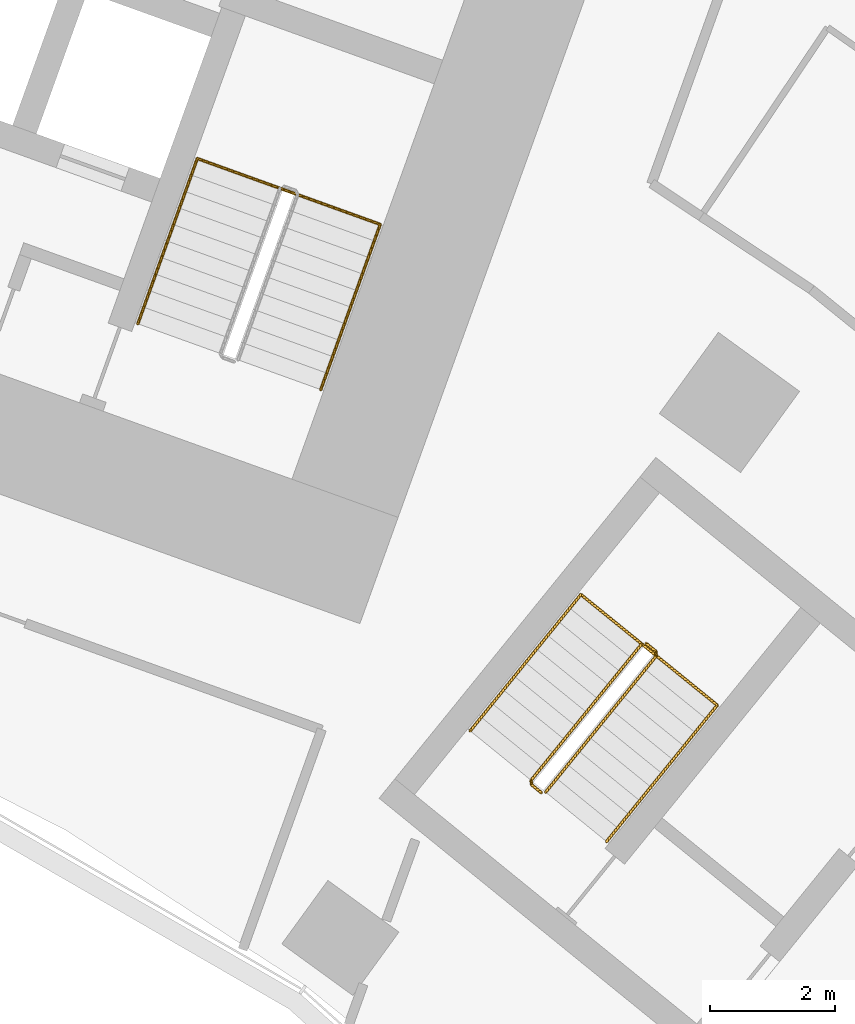
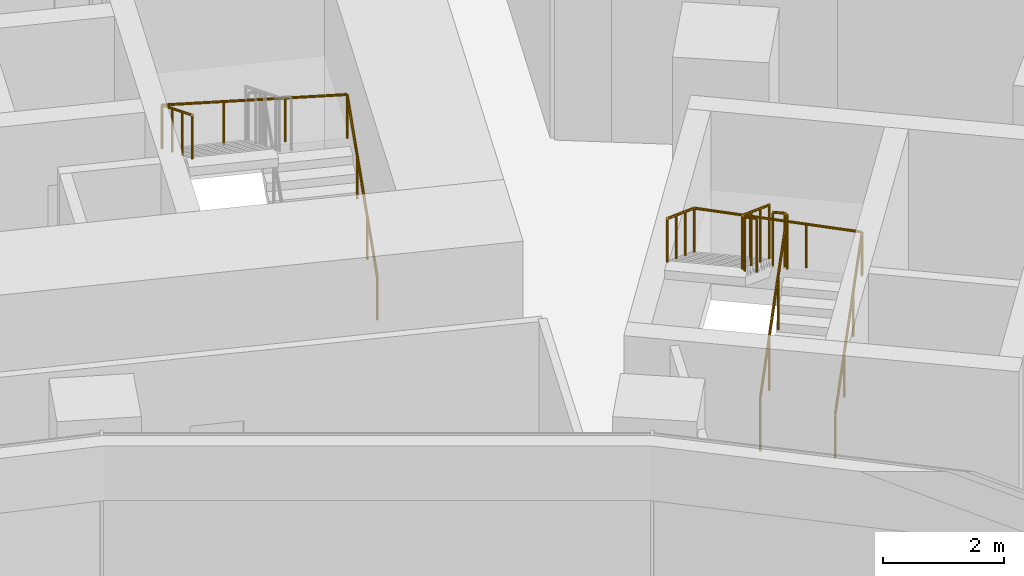
# One storey, part 21 of 21: 4 railings.
"""IFC4 building model written with IfcOpenShell, lengths in metres."""

from ifc_helpers import new_model, si_unit, direction, frame, origin, origin_2d, place, context, subcontext, project, spatial, circle, extrude, material, type_object, element, save


model = new_model("IFC4")

# Units and contexts
model_context = context("Model", 3, precision=1e-05, world=origin(), true_north=direction((0.0, 1.0)))
body_context = subcontext(model_context, "Body", "Model", "MODEL_VIEW")
ifc_project = project(units=[si_unit("LENGTHUNIT", "METRE"), si_unit("AREAUNIT", "SQUARE_METRE"), si_unit("VOLUMEUNIT", "CUBIC_METRE"), si_unit("PLANEANGLEUNIT", "RADIAN"), si_unit("MASSUNIT", "GRAM", prefix="KILO")], contexts=[model_context])

# Site, building, storey
site_placement = place(None, origin())
site = spatial("IfcSite", under=ifc_project, at=site_placement, CompositionType="ELEMENT")
building_placement = place(site_placement, origin())
building = spatial("IfcBuilding", under=site, at=building_placement, Name="Stone Belt Terrace Tower", CompositionType="ELEMENT")
storey_placement = place(building_placement, frame((0.0, 0.0, 71.800048828125)))
storey = spatial("IfcBuildingStorey", under=building, at=storey_placement, Name="L17", CompositionType="ELEMENT", Elevation=71.800048828125)

# Railings
ifc_material = material(Name="Structural steel C345", Category="steel")
railing_type_1 = type_object("IfcRailingType", Name="Stair guard 1100", PredefinedType="GUARDRAIL", material=ifc_material)
railing_1_placement = place(storey_placement, frame((29.39794921875, 38.281982421875, 0.172607421875)))
element("IfcRailing", 1, at=railing_1_placement, inside=storey, type_object=railing_type_1, Name="L17 ST3B stair guard 1", PredefinedType="GUARDRAIL", context=body_context, shape_type="SweptSolid", body=[
    extrude(circle(Radius=0.02392578125, at=origin_2d()), frame((0.0, 0.0, 1.076171875), z_axis=(0.536393061503, 0.660769759217, 0.525038864158), x_axis=(-0.776391310223, 0.630251166924, 0.0)), (0.0, 0.0, 1.0), 3.289794921875),
    extrude(circle(Radius=0.02392578125, at=origin_2d()), frame((1.7646484375, 2.173828125, 2.80322265625), z_axis=(-0.103251414163, 0.994655289773, 0.0), x_axis=(-0.994655289773, -0.103251414163, 0.0)), (0.0, 0.0, 1.0), 0.071044921875),
    extrude(circle(Radius=0.02392578125, at=origin_2d()), frame((1.75732421875, 2.244384765625, 2.80322265625), z_axis=(-0.776561986372, 0.630040856868, 0.0), x_axis=(-0.630040856868, -0.776561986372, 0.0)), (0.0, 0.0, 1.0), 0.199951171875),
    extrude(circle(Radius=0.02099609375, at=origin_2d()), origin(), (0.0, 0.0, 1.0), 1.052001953125),
    extrude(circle(Radius=0.02099609375, at=origin_2d()), frame((0.588134765625, 0.724609375, 0.57568359375)), (0.0, 0.0, 1.0), 1.052001953125),
    extrude(circle(Radius=0.02099609375, at=origin_2d()), frame((1.176513671875, 1.44921875, 1.151611328125)), (0.0, 0.0, 1.0), 1.052001953125),
    extrude(circle(Radius=0.02099609375, at=origin_2d()), frame((1.7646484375, 2.173828125, 1.727294921875)), (0.0, 0.0, 1.0), 1.052001953125),
    extrude(circle(Radius=0.02099609375, at=origin_2d()), frame((1.75732421875, 2.244384765625, 1.727294921875)), (0.0, 0.0, 1.0), 1.052001953125),
    extrude(circle(Radius=0.02099609375, at=origin_2d()), frame((1.60205078125, 2.370361328125, 1.727294921875)), (0.0, 0.0, 1.0), 1.052001953125),
])
railing_2_placement = place(storey_placement, frame((30.9296875, 40.64501953125, 2.07275390625)))
element("IfcRailing", 2, at=railing_2_placement, inside=storey, type_object=railing_type_1, Name="L17 ST3B stair guard 2", PredefinedType="GUARDRAIL", context=body_context, shape_type="SweptSolid", body=[
    extrude(circle(Radius=0.02392578125, at=origin_2d()), frame((0.0, 0.0, 1.076171875), z_axis=(-0.536366759382, -0.660811565066, 0.525013118792), x_axis=(0.776425942316, -0.630208502084, 0.0)), (0.0, 0.0, 1.0), 3.2900390625),
    extrude(circle(Radius=0.02392578125, at=origin_2d()), frame((-1.7646484375, -2.174072265625, 2.80322265625), z_axis=(0.103606084259, -0.994618408891, 0.0), x_axis=(0.994618408891, 0.103606084259, 0.0)), (0.0, 0.0, 1.0), 0.07080078125),
    extrude(circle(Radius=0.02392578125, at=origin_2d()), frame((-1.75732421875, -2.244384765625, 2.80322265625), z_axis=(0.776561986372, -0.630040856868, 0.0), x_axis=(0.630040856868, 0.776561986372, 0.0)), (0.0, 0.0, 1.0), 0.199951171875),
    extrude(circle(Radius=0.02099609375, at=origin_2d()), origin(), (0.0, 0.0, 1.0), 1.052001953125),
    extrude(circle(Radius=0.02099609375, at=origin_2d()), frame((-0.588134765625, -0.724609375, 0.57568359375)), (0.0, 0.0, 1.0), 1.052001953125),
    extrude(circle(Radius=0.02099609375, at=origin_2d()), frame((-1.176513671875, -1.449462890625, 1.151611328125)), (0.0, 0.0, 1.0), 1.052001953125),
    extrude(circle(Radius=0.02099609375, at=origin_2d()), frame((-1.7646484375, -2.174072265625, 1.727294921875)), (0.0, 0.0, 1.0), 1.052001953125),
    extrude(circle(Radius=0.02099609375, at=origin_2d()), frame((-1.75732421875, -2.244384765625, 1.727294921875)), (0.0, 0.0, 1.0), 1.052001953125),
    extrude(circle(Radius=0.02099609375, at=origin_2d()), frame((-1.60205078125, -2.370361328125, 1.727294921875)), (0.0, 0.0, 1.0), 1.052001953125),
])
railing_type_2 = type_object("IfcRailingType", Name="Stair handrail 900", PredefinedType="HANDRAIL", material=ifc_material)
railing_3_placement = place(storey_placement, frame((25.8115234375, 44.700439453125, 0.172607421875)))
element("IfcRailing", 3, at=railing_3_placement, inside=storey, type_object=railing_type_2, Name="L17 ST1B stair handrail 1", PredefinedType="HANDRAIL", context=body_context, shape_type="SweptSolid", body=[
    extrude(circle(Radius=0.02392578125, at=origin_2d()), frame((0.0, 0.0, 0.8759765625), z_axis=(0.288228637646, 0.800791768495, 0.525030280985), x_axis=(-0.940908529223, 0.338660803216, 0.0)), (0.0, 0.0, 1.0), 3.289794921875),
    extrude(circle(Radius=0.02392578125, at=origin_2d()), frame((0.9482421875, 2.634521484375, 2.60302734375), z_axis=(-0.939460408074, 0.338105101667, 0.055669398135), x_axis=(-0.338630230244, -0.940919532779, 0.0)), (0.0, 0.0, 1.0), 3.10498046875),
    extrude(circle(Radius=0.02392578125, at=origin_2d()), frame((-1.96875, 3.684326171875, 2.77587890625), z_axis=(-0.288160591223, -0.800808895155, 0.52504150989), x_axis=(0.940936311087, -0.338583606334, 0.0)), (0.0, 0.0, 1.0), 3.289794921875),
    extrude(circle(Radius=0.02099609375, at=origin_2d()), origin(), (0.0, 0.0, 1.0), 0.851806640625),
    extrude(circle(Radius=0.02099609375, at=origin_2d()), frame((0.316162109375, 0.878173828125, 0.57568359375)), (0.0, 0.0, 1.0), 0.851806640625),
    extrude(circle(Radius=0.02099609375, at=origin_2d()), frame((0.632080078125, 1.75634765625, 1.151611328125)), (0.0, 0.0, 1.0), 0.851806640625),
    extrude(circle(Radius=0.02099609375, at=origin_2d()), frame((0.9482421875, 2.634521484375, 1.727294921875)), (0.0, 0.0, 1.0), 0.851806640625),
    extrude(circle(Radius=0.02099609375, at=origin_2d()), frame((-0.024169921875, 2.984375, 1.784912109375)), (0.0, 0.0, 1.0), 0.851806640625),
    extrude(circle(Radius=0.02099609375, at=origin_2d()), frame((-0.996337890625, 3.33447265625, 1.842529296875)), (0.0, 0.0, 1.0), 0.851806640625),
    extrude(circle(Radius=0.02099609375, at=origin_2d()), frame((-1.96875, 3.684326171875, 1.900146484375)), (0.0, 0.0, 1.0), 0.851806640625),
    extrude(circle(Radius=0.02099609375, at=origin_2d()), frame((-2.28466796875, 2.80615234375, 2.475830078125)), (0.0, 0.0, 1.0), 0.851806640625),
    extrude(circle(Radius=0.02099609375, at=origin_2d()), frame((-2.600830078125, 1.927978515625, 3.0517578125)), (0.0, 0.0, 1.0), 0.851806640625),
    extrude(circle(Radius=0.02099609375, at=origin_2d()), frame((-2.916748046875, 1.0498046875, 3.62744140625)), (0.0, 0.0, 1.0), 0.851806640625),
])
railing_4_placement = place(storey_placement, frame((30.36865234375, 37.494140625, 0.172607421875)))
element("IfcRailing", 4, at=railing_4_placement, inside=storey, type_object=railing_type_2, Name="L17 ST3B stair handrail 1", PredefinedType="HANDRAIL", context=body_context, shape_type="SweptSolid", body=[
    extrude(circle(Radius=0.02392578125, at=origin_2d()), frame((0.0, 0.0, 0.8759765625), z_axis=(0.536366759382, 0.660811565066, 0.525013118792), x_axis=(-0.776425942316, 0.630208502084, 0.0)), (0.0, 0.0, 1.0), 3.2900390625),
    extrude(circle(Radius=0.02392578125, at=origin_2d()), frame((1.7646484375, 2.174072265625, 2.60302734375), z_axis=(-0.774950814199, 0.629011171817, 0.061613158501), x_axis=(-0.630208502084, -0.776425942316, 0.0)), (0.0, 0.0, 1.0), 2.805419921875),
    extrude(circle(Radius=0.02392578125, at=origin_2d()), frame((-0.409423828125, 3.938720703125, 2.77587890625), z_axis=(-0.536366759382, -0.660811565066, 0.525013118792), x_axis=(0.776425942316, -0.630208502084, 0.0)), (0.0, 0.0, 1.0), 3.2900390625),
    extrude(circle(Radius=0.02099609375, at=origin_2d()), origin(), (0.0, 0.0, 1.0), 0.851806640625),
    extrude(circle(Radius=0.02099609375, at=origin_2d()), frame((0.588134765625, 0.724609375, 0.57568359375)), (0.0, 0.0, 1.0), 0.851806640625),
    extrude(circle(Radius=0.02099609375, at=origin_2d()), frame((1.176513671875, 1.449462890625, 1.151611328125)), (0.0, 0.0, 1.0), 0.851806640625),
    extrude(circle(Radius=0.02099609375, at=origin_2d()), frame((1.7646484375, 2.174072265625, 1.727294921875)), (0.0, 0.0, 1.0), 0.851806640625),
    extrude(circle(Radius=0.02099609375, at=origin_2d()), frame((1.0400390625, 2.76220703125, 1.784912109375)), (0.0, 0.0, 1.0), 0.851806640625),
    extrude(circle(Radius=0.02099609375, at=origin_2d()), frame((0.315185546875, 3.3505859375, 1.842529296875)), (0.0, 0.0, 1.0), 0.851806640625),
    extrude(circle(Radius=0.02099609375, at=origin_2d()), frame((-0.409423828125, 3.938720703125, 1.900146484375)), (0.0, 0.0, 1.0), 0.851806640625),
    extrude(circle(Radius=0.02099609375, at=origin_2d()), frame((-0.99755859375, 3.214111328125, 2.475830078125)), (0.0, 0.0, 1.0), 0.851806640625),
    extrude(circle(Radius=0.02099609375, at=origin_2d()), frame((-1.5859375, 2.4892578125, 3.0517578125)), (0.0, 0.0, 1.0), 0.851806640625),
    extrude(circle(Radius=0.02099609375, at=origin_2d()), frame((-2.174072265625, 1.7646484375, 3.62744140625)), (0.0, 0.0, 1.0), 0.851806640625),
])

save(model, "model.ifc")
